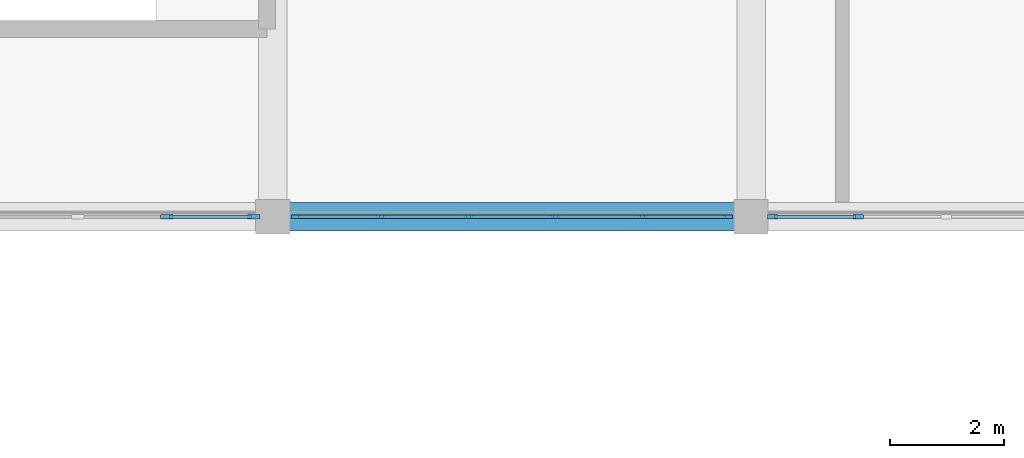
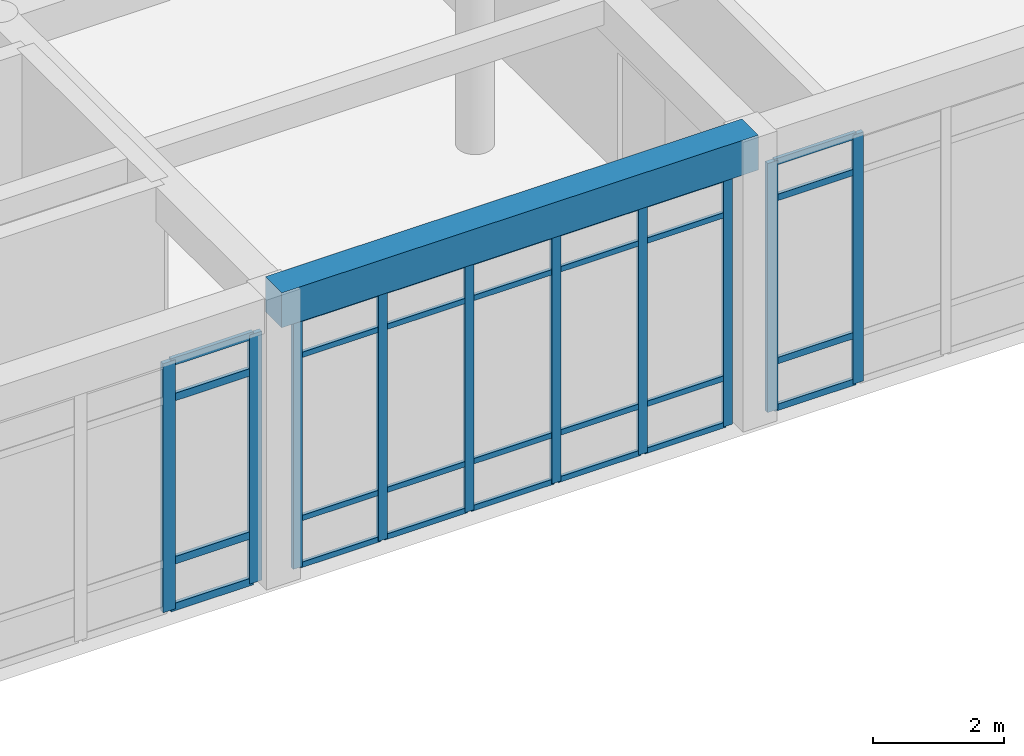
# One storey, part 12 of 89: 38 members, 1 beam, 3 elements without a shape of their own.
"""IFC4 building model written with IfcOpenShell, lengths in metres."""

from ifc_helpers import new_model, si_unit, direction, frame, origin, origin_2d, place, context, subcontext, project, spatial, rectangle, extrude, material, material_profile, profile_set, type_object, element, aggregate, save


model = new_model("IFC4")

# Units and contexts
model_context = context("Model", 3, precision=1e-05, world=origin(), true_north=direction((0.0, 1.0)))
body_context = subcontext(model_context, "Body", "Model", "MODEL_VIEW")
ifc_project = project(units=[si_unit("LENGTHUNIT", "METRE"), si_unit("AREAUNIT", "SQUARE_METRE"), si_unit("VOLUMEUNIT", "CUBIC_METRE"), si_unit("PLANEANGLEUNIT", "RADIAN"), si_unit("MASSUNIT", "GRAM", prefix="KILO")], contexts=[model_context])

# Site, building, storey
site_placement = place(None, origin())
site = spatial("IfcSite", under=ifc_project, at=site_placement, CompositionType="ELEMENT")
building_placement = place(site_placement, origin())
building = spatial("IfcBuilding", under=site, at=building_placement, Name="Varncliffe General Hospital", CompositionType="ELEMENT")
storey_placement = place(building_placement, frame((0.0, 0.0, 10.800048828125)))
storey = spatial("IfcBuildingStorey", under=building, at=storey_placement, Name="L02", CompositionType="ELEMENT", Elevation=10.800048828125)

# Beam
ifc_material_1 = material(Name="Concrete C35/45 (CSA A23.1 35 MPa)", Category="concrete")
ifc_material_profile_1 = material_profile(ifc_material_1, rectangle(XDim=0.5, YDim=0.64990234375, at=origin_2d()), Name="RC 500x650")
ifc_profile_set_1 = profile_set([ifc_material_profile_1], Name="Concrete C35/45 (CSA A23.1 35 MPa)")
beam_type = type_object("IfcBeamType", Name="Beam B29 (Int RC 500x650)", PredefinedType="BEAM", material=ifc_profile_set_1)
beam_placement = place(storey_placement, frame((84.0, 57.60009765625, 5.074951171875), z_axis=(1.0, 0.0, 0.0), x_axis=(0.0, 1.0, 0.0)))
element("IfcBeam", 1, at=beam_placement, inside=storey, type_object=beam_type, Name="L02 Primary Beam B29-60", PredefinedType="BEAM", context=body_context, shape_type="SweptSolid", body=[
    extrude(rectangle(XDim=0.5, YDim=0.64990234375, at=origin_2d()), origin(), (0.0, 0.0, 1.0), 8.39990234375),
])

# Curtain wall, members
ifc_material_2 = material(Name="Triple low-E argon insulated vision glazing", Category="glass")
curtain_wall_type_1 = type_object("IfcCurtainWallType", Name="Unitised Glazed Curtain Wall CW70 (7724x4640)", PredefinedType="USERDEFINED", material=ifc_material_2)
curtain_wall_1_placement = place(storey_placement, origin())
curtain_wall_1 = element("IfcCurtainWall", 2, at=curtain_wall_1_placement, inside=storey, type_object=curtain_wall_type_1, Name="L02 Glazed Curtain Wall CW70-136", ObjectType="GLAZED CURTAIN WALL", PredefinedType="USERDEFINED")
ifc_material_3 = material(Name="Dark bronze thermally broken aluminium framing", Category="aluminium")
ifc_material_profile_2 = material_profile(ifc_material_3, rectangle(XDim=0.074951171875, YDim=0.179931640625, at=origin_2d()), Name="ALU 75x180")
ifc_profile_set_2 = profile_set([ifc_material_profile_2], Name="Dark bronze thermally broken aluminium framing")
member_type_1 = type_object("IfcMemberType", Name="Curtain Wall Mullion CM44 (ALU 75x180)", PredefinedType="MULLION", material=ifc_profile_set_2)
member_1_placement = place(storey_placement, frame((94.28271484375, 57.60009765625, 0.0), z_axis=(0.0, 0.0, 1.0), x_axis=(0.0, -1.0, 0.0)))
member_1 = element("IfcMember", 3, at=member_1_placement, type_object=member_type_1, Name="CW70 mullion 5", PredefinedType="MULLION", context=body_context, shape_type="SweptSolid", body=[
    extrude(rectangle(XDim=0.074951171875, YDim=0.179931640625, at=origin_2d()), origin(), (0.0, 0.0, 1.0), 4.639892578125),
])
member_2_placement = place(storey_placement, frame((92.775390625, 57.60009765625, 0.0), z_axis=(0.0, 0.0, 1.0), x_axis=(0.0, -1.0, 0.0)))
member_2 = element("IfcMember", 4, at=member_2_placement, type_object=member_type_1, Name="CW70 mullion 6", PredefinedType="MULLION", context=body_context, shape_type="SweptSolid", body=[
    extrude(rectangle(XDim=0.074951171875, YDim=0.179931640625, at=origin_2d()), origin(), (0.0, 0.0, 1.0), 4.639892578125),
])

curtain_wall_type_2 = type_object("IfcCurtainWallType", Name="Unitised Glazed Curtain Wall CW27 (7644x4640)", PredefinedType="USERDEFINED", material=ifc_material_2)
curtain_wall_2_placement = place(storey_placement, origin())
curtain_wall_2 = element("IfcCurtainWall", 5, at=curtain_wall_2_placement, inside=storey, type_object=curtain_wall_type_2, Name="L02 Glazed Curtain Wall CW27-137", ObjectType="GLAZED CURTAIN WALL", PredefinedType="USERDEFINED")
ifc_material_profile_3 = material_profile(ifc_material_3, rectangle(XDim=0.06494140625, YDim=0.159912109375, at=origin_2d()), Name="ALU 65x160")
ifc_profile_set_3 = profile_set([ifc_material_profile_3], Name="Dark bronze thermally broken aluminium framing")
member_type_2 = type_object("IfcMemberType", Name="Curtain Wall Mullion CM65 (ALU 65x160)", PredefinedType="MULLION", material=ifc_profile_set_3)
member_3_placement = place(storey_placement, frame((91.989501953125, 57.60009765625, 0.0), z_axis=(0.0, 0.0, 1.0), x_axis=(0.0, -1.0, 0.0)))
member_3 = element("IfcMember", 6, at=member_3_placement, type_object=member_type_2, Name="CW27 mullion 1", PredefinedType="MULLION", context=body_context, shape_type="SweptSolid", body=[
    extrude(rectangle(XDim=0.06494140625, YDim=0.159912109375, at=origin_2d()), origin(), (0.0, 0.0, 1.0), 4.639892578125),
])
member_4_placement = place(storey_placement, frame((90.4931640625, 57.60009765625, 0.0), z_axis=(0.0, 0.0, 1.0), x_axis=(0.0, -1.0, 0.0)))
member_4 = element("IfcMember", 7, at=member_4_placement, type_object=member_type_2, Name="CW27 mullion 2", PredefinedType="MULLION", context=body_context, shape_type="SweptSolid", body=[
    extrude(rectangle(XDim=0.06494140625, YDim=0.159912109375, at=origin_2d()), origin(), (0.0, 0.0, 1.0), 4.639892578125),
])
member_5_placement = place(storey_placement, frame((88.96435546875, 57.60009765625, 0.0), z_axis=(0.0, 0.0, 1.0), x_axis=(0.0, -1.0, 0.0)))
member_5 = element("IfcMember", 8, at=member_5_placement, type_object=member_type_2, Name="CW27 mullion 3", PredefinedType="MULLION", context=body_context, shape_type="SweptSolid", body=[
    extrude(rectangle(XDim=0.06494140625, YDim=0.159912109375, at=origin_2d()), origin(), (0.0, 0.0, 1.0), 4.639892578125),
])
member_6_placement = place(storey_placement, frame((87.435546875, 57.60009765625, 0.0), z_axis=(0.0, 0.0, 1.0), x_axis=(0.0, -1.0, 0.0)))
member_6 = element("IfcMember", 9, at=member_6_placement, type_object=member_type_2, Name="CW27 mullion 4", PredefinedType="MULLION", context=body_context, shape_type="SweptSolid", body=[
    extrude(rectangle(XDim=0.06494140625, YDim=0.159912109375, at=origin_2d()), origin(), (0.0, 0.0, 1.0), 4.639892578125),
])
member_7_placement = place(storey_placement, frame((85.90673828125, 57.60009765625, 0.0), z_axis=(0.0, 0.0, 1.0), x_axis=(0.0, -1.0, 0.0)))
member_7 = element("IfcMember", 10, at=member_7_placement, type_object=member_type_2, Name="CW27 mullion 5", PredefinedType="MULLION", context=body_context, shape_type="SweptSolid", body=[
    extrude(rectangle(XDim=0.06494140625, YDim=0.159912109375, at=origin_2d()), origin(), (0.0, 0.0, 1.0), 4.639892578125),
])
member_8_placement = place(storey_placement, frame((84.410400390625, 57.60009765625, 0.0), z_axis=(0.0, 0.0, 1.0), x_axis=(0.0, -1.0, 0.0)))
member_8 = element("IfcMember", 11, at=member_8_placement, type_object=member_type_2, Name="CW27 mullion 6", PredefinedType="MULLION", context=body_context, shape_type="SweptSolid", body=[
    extrude(rectangle(XDim=0.06494140625, YDim=0.159912109375, at=origin_2d()), origin(), (0.0, 0.0, 1.0), 4.639892578125),
])

curtain_wall_type_3 = type_object("IfcCurtainWallType", Name="Unitised Glazed Curtain Wall CW85 (7804x4640)", PredefinedType="USERDEFINED", material=ifc_material_2)
curtain_wall_3_placement = place(storey_placement, origin())
curtain_wall_3 = element("IfcCurtainWall", 12, at=curtain_wall_3_placement, inside=storey, type_object=curtain_wall_type_3, Name="L02 Glazed Curtain Wall CW85-138", ObjectType="GLAZED CURTAIN WALL", PredefinedType="USERDEFINED")
ifc_material_profile_4 = material_profile(ifc_material_3, rectangle(XDim=0.074951171875, YDim=0.219970703125, at=origin_2d()), Name="ALU 75x220")
ifc_profile_set_4 = profile_set([ifc_material_profile_4], Name="Dark bronze thermally broken aluminium framing")
member_type_3 = type_object("IfcMemberType", Name="Curtain Wall Mullion CM74 (ALU 75x220)", PredefinedType="MULLION", material=ifc_profile_set_4)
member_9_placement = place(storey_placement, frame((83.66455078125, 57.60009765625, 0.0), z_axis=(0.0, 0.0, 1.0), x_axis=(0.0, -1.0, 0.0)))
member_9 = element("IfcMember", 13, at=member_9_placement, type_object=member_type_3, Name="CW85 mullion 1", PredefinedType="MULLION", context=body_context, shape_type="SweptSolid", body=[
    extrude(rectangle(XDim=0.074951171875, YDim=0.219970703125, at=origin_2d()), origin(), (0.0, 0.0, 1.0), 4.639892578125),
])
member_10_placement = place(storey_placement, frame((82.14111328125, 57.60009765625, 0.0), z_axis=(0.0, 0.0, 1.0), x_axis=(0.0, -1.0, 0.0)))
member_10 = element("IfcMember", 14, at=member_10_placement, type_object=member_type_3, Name="CW85 mullion 2", PredefinedType="MULLION", context=body_context, shape_type="SweptSolid", body=[
    extrude(rectangle(XDim=0.074951171875, YDim=0.219970703125, at=origin_2d()), origin(), (0.0, 0.0, 1.0), 4.639892578125),
])

# Member
ifc_material_profile_5 = material_profile(ifc_material_3, rectangle(XDim=0.06005859375, YDim=0.1201171875, at=origin_2d()), Name="ALU 60x120")
ifc_profile_set_5 = profile_set([ifc_material_profile_5], Name="Dark bronze thermally broken aluminium framing")
member_type_4 = type_object("IfcMemberType", Name="Curtain Wall Transom CT14 (ALU 60x120)", PredefinedType="USERDEFINED", material=ifc_profile_set_5)
member_11_placement = place(storey_placement, frame((94.245361328125, 57.60009765625, 0.030029296875), z_axis=(-1.0, 0.0, 0.0), x_axis=(0.0, -1.0, 0.0)))
member_11 = element("IfcMember", 15, at=member_11_placement, type_object=member_type_4, Name="CW70 transom 5.1", ObjectType="TRANSOM", PredefinedType="USERDEFINED", context=body_context, shape_type="SweptSolid", body=[
    extrude(rectangle(XDim=0.06005859375, YDim=0.1201171875, at=origin_2d()), origin(), (0.0, 0.0, 1.0), 1.432373046875),
])

member_12_placement = place(storey_placement, frame((94.245361328125, 57.60009765625, 0.89990234375), z_axis=(-1.0, 0.0, 0.0), x_axis=(0.0, -1.0, 0.0)))
member_12 = element("IfcMember", 16, at=member_12_placement, type_object=member_type_4, Name="CW70 transom 5.2", ObjectType="TRANSOM", PredefinedType="USERDEFINED", context=body_context, shape_type="SweptSolid", body=[
    extrude(rectangle(XDim=0.06005859375, YDim=0.1201171875, at=origin_2d()), origin(), (0.0, 0.0, 1.0), 1.432373046875),
])

member_13_placement = place(storey_placement, frame((94.245361328125, 57.60009765625, 3.93994140625), z_axis=(-1.0, 0.0, 0.0), x_axis=(0.0, -1.0, 0.0)))
member_13 = element("IfcMember", 17, at=member_13_placement, type_object=member_type_4, Name="CW70 transom 5.3", ObjectType="TRANSOM", PredefinedType="USERDEFINED", context=body_context, shape_type="SweptSolid", body=[
    extrude(rectangle(XDim=0.06005859375, YDim=0.1201171875, at=origin_2d()), origin(), (0.0, 0.0, 1.0), 1.432373046875),
])

member_14_placement = place(storey_placement, frame((94.245361328125, 57.60009765625, 4.60986328125), z_axis=(-1.0, 0.0, 0.0), x_axis=(0.0, -1.0, 0.0)))
member_14 = element("IfcMember", 18, at=member_14_placement, type_object=member_type_4, Name="CW70 transom 5.4", ObjectType="TRANSOM", PredefinedType="USERDEFINED", context=body_context, shape_type="SweptSolid", body=[
    extrude(rectangle(XDim=0.06005859375, YDim=0.1201171875, at=origin_2d()), origin(), (0.0, 0.0, 1.0), 1.432373046875),
])

aggregate(curtain_wall_1, [member_1, member_2, member_11, member_12, member_13, member_14])

ifc_material_profile_6 = material_profile(ifc_material_3, rectangle(XDim=0.06005859375, YDim=0.10009765625, at=origin_2d()), Name="ALU 60x100")
ifc_profile_set_6 = profile_set([ifc_material_profile_6], Name="Dark bronze thermally broken aluminium framing")
member_type_5 = type_object("IfcMemberType", Name="Curtain Wall Transom CT18 (ALU 60x100)", PredefinedType="USERDEFINED", material=ifc_profile_set_6)
member_15_placement = place(storey_placement, frame((91.95703125, 57.60009765625, 0.030029296875), z_axis=(-1.0, 0.0, 0.0), x_axis=(0.0, -1.0, 0.0)))
member_15 = element("IfcMember", 19, at=member_15_placement, type_object=member_type_5, Name="CW27 transom 1.1", ObjectType="TRANSOM", PredefinedType="USERDEFINED", context=body_context, shape_type="SweptSolid", body=[
    extrude(rectangle(XDim=0.06005859375, YDim=0.10009765625, at=origin_2d()), origin(), (0.0, 0.0, 1.0), 1.431396484375),
])

member_16_placement = place(storey_placement, frame((91.95703125, 57.60009765625, 0.89990234375), z_axis=(-1.0, 0.0, 0.0), x_axis=(0.0, -1.0, 0.0)))
member_16 = element("IfcMember", 20, at=member_16_placement, type_object=member_type_5, Name="CW27 transom 1.2", ObjectType="TRANSOM", PredefinedType="USERDEFINED", context=body_context, shape_type="SweptSolid", body=[
    extrude(rectangle(XDim=0.06005859375, YDim=0.10009765625, at=origin_2d()), origin(), (0.0, 0.0, 1.0), 1.431396484375),
])

member_17_placement = place(storey_placement, frame((91.95703125, 57.60009765625, 3.93994140625), z_axis=(-1.0, 0.0, 0.0), x_axis=(0.0, -1.0, 0.0)))
member_17 = element("IfcMember", 21, at=member_17_placement, type_object=member_type_5, Name="CW27 transom 1.3", ObjectType="TRANSOM", PredefinedType="USERDEFINED", context=body_context, shape_type="SweptSolid", body=[
    extrude(rectangle(XDim=0.06005859375, YDim=0.10009765625, at=origin_2d()), origin(), (0.0, 0.0, 1.0), 1.431396484375),
])

member_18_placement = place(storey_placement, frame((91.95703125, 57.60009765625, 4.60986328125), z_axis=(-1.0, 0.0, 0.0), x_axis=(0.0, -1.0, 0.0)))
member_18 = element("IfcMember", 22, at=member_18_placement, type_object=member_type_5, Name="CW27 transom 1.4", ObjectType="TRANSOM", PredefinedType="USERDEFINED", context=body_context, shape_type="SweptSolid", body=[
    extrude(rectangle(XDim=0.06005859375, YDim=0.10009765625, at=origin_2d()), origin(), (0.0, 0.0, 1.0), 1.431396484375),
])

member_19_placement = place(storey_placement, frame((90.460693359375, 57.60009765625, 0.030029296875), z_axis=(-1.0, 0.0, 0.0), x_axis=(0.0, -1.0, 0.0)))
member_19 = element("IfcMember", 23, at=member_19_placement, type_object=member_type_5, Name="CW27 transom 2.1", ObjectType="TRANSOM", PredefinedType="USERDEFINED", context=body_context, shape_type="SweptSolid", body=[
    extrude(rectangle(XDim=0.06005859375, YDim=0.10009765625, at=origin_2d()), origin(), (0.0, 0.0, 1.0), 1.4638671875),
])

member_20_placement = place(storey_placement, frame((90.460693359375, 57.60009765625, 0.89990234375), z_axis=(-1.0, 0.0, 0.0), x_axis=(0.0, -1.0, 0.0)))
member_20 = element("IfcMember", 24, at=member_20_placement, type_object=member_type_5, Name="CW27 transom 2.2", ObjectType="TRANSOM", PredefinedType="USERDEFINED", context=body_context, shape_type="SweptSolid", body=[
    extrude(rectangle(XDim=0.06005859375, YDim=0.10009765625, at=origin_2d()), origin(), (0.0, 0.0, 1.0), 1.4638671875),
])

member_21_placement = place(storey_placement, frame((90.460693359375, 57.60009765625, 3.93994140625), z_axis=(-1.0, 0.0, 0.0), x_axis=(0.0, -1.0, 0.0)))
member_21 = element("IfcMember", 25, at=member_21_placement, type_object=member_type_5, Name="CW27 transom 2.3", ObjectType="TRANSOM", PredefinedType="USERDEFINED", context=body_context, shape_type="SweptSolid", body=[
    extrude(rectangle(XDim=0.06005859375, YDim=0.10009765625, at=origin_2d()), origin(), (0.0, 0.0, 1.0), 1.4638671875),
])

member_22_placement = place(storey_placement, frame((90.460693359375, 57.60009765625, 4.60986328125), z_axis=(-1.0, 0.0, 0.0), x_axis=(0.0, -1.0, 0.0)))
member_22 = element("IfcMember", 26, at=member_22_placement, type_object=member_type_5, Name="CW27 transom 2.4", ObjectType="TRANSOM", PredefinedType="USERDEFINED", context=body_context, shape_type="SweptSolid", body=[
    extrude(rectangle(XDim=0.06005859375, YDim=0.10009765625, at=origin_2d()), origin(), (0.0, 0.0, 1.0), 1.4638671875),
])

member_23_placement = place(storey_placement, frame((88.931884765625, 57.60009765625, 0.030029296875), z_axis=(-1.0, 0.0, 0.0), x_axis=(0.0, -1.0, 0.0)))
member_23 = element("IfcMember", 27, at=member_23_placement, type_object=member_type_5, Name="CW27 transom 3.1", ObjectType="TRANSOM", PredefinedType="USERDEFINED", context=body_context, shape_type="SweptSolid", body=[
    extrude(rectangle(XDim=0.06005859375, YDim=0.10009765625, at=origin_2d()), origin(), (0.0, 0.0, 1.0), 1.4638671875),
])

member_24_placement = place(storey_placement, frame((88.931884765625, 57.60009765625, 0.89990234375), z_axis=(-1.0, 0.0, 0.0), x_axis=(0.0, -1.0, 0.0)))
member_24 = element("IfcMember", 28, at=member_24_placement, type_object=member_type_5, Name="CW27 transom 3.2", ObjectType="TRANSOM", PredefinedType="USERDEFINED", context=body_context, shape_type="SweptSolid", body=[
    extrude(rectangle(XDim=0.06005859375, YDim=0.10009765625, at=origin_2d()), origin(), (0.0, 0.0, 1.0), 1.4638671875),
])

member_25_placement = place(storey_placement, frame((88.931884765625, 57.60009765625, 3.93994140625), z_axis=(-1.0, 0.0, 0.0), x_axis=(0.0, -1.0, 0.0)))
member_25 = element("IfcMember", 29, at=member_25_placement, type_object=member_type_5, Name="CW27 transom 3.3", ObjectType="TRANSOM", PredefinedType="USERDEFINED", context=body_context, shape_type="SweptSolid", body=[
    extrude(rectangle(XDim=0.06005859375, YDim=0.10009765625, at=origin_2d()), origin(), (0.0, 0.0, 1.0), 1.4638671875),
])

member_26_placement = place(storey_placement, frame((88.931884765625, 57.60009765625, 4.60986328125), z_axis=(-1.0, 0.0, 0.0), x_axis=(0.0, -1.0, 0.0)))
member_26 = element("IfcMember", 30, at=member_26_placement, type_object=member_type_5, Name="CW27 transom 3.4", ObjectType="TRANSOM", PredefinedType="USERDEFINED", context=body_context, shape_type="SweptSolid", body=[
    extrude(rectangle(XDim=0.06005859375, YDim=0.10009765625, at=origin_2d()), origin(), (0.0, 0.0, 1.0), 1.4638671875),
])

member_27_placement = place(storey_placement, frame((87.403076171875, 57.60009765625, 0.030029296875), z_axis=(-1.0, 0.0, 0.0), x_axis=(0.0, -1.0, 0.0)))
member_27 = element("IfcMember", 31, at=member_27_placement, type_object=member_type_5, Name="CW27 transom 4.1", ObjectType="TRANSOM", PredefinedType="USERDEFINED", context=body_context, shape_type="SweptSolid", body=[
    extrude(rectangle(XDim=0.06005859375, YDim=0.10009765625, at=origin_2d()), origin(), (0.0, 0.0, 1.0), 1.4638671875),
])

member_28_placement = place(storey_placement, frame((87.403076171875, 57.60009765625, 0.89990234375), z_axis=(-1.0, 0.0, 0.0), x_axis=(0.0, -1.0, 0.0)))
member_28 = element("IfcMember", 32, at=member_28_placement, type_object=member_type_5, Name="CW27 transom 4.2", ObjectType="TRANSOM", PredefinedType="USERDEFINED", context=body_context, shape_type="SweptSolid", body=[
    extrude(rectangle(XDim=0.06005859375, YDim=0.10009765625, at=origin_2d()), origin(), (0.0, 0.0, 1.0), 1.4638671875),
])

member_29_placement = place(storey_placement, frame((87.403076171875, 57.60009765625, 3.93994140625), z_axis=(-1.0, 0.0, 0.0), x_axis=(0.0, -1.0, 0.0)))
member_29 = element("IfcMember", 33, at=member_29_placement, type_object=member_type_5, Name="CW27 transom 4.3", ObjectType="TRANSOM", PredefinedType="USERDEFINED", context=body_context, shape_type="SweptSolid", body=[
    extrude(rectangle(XDim=0.06005859375, YDim=0.10009765625, at=origin_2d()), origin(), (0.0, 0.0, 1.0), 1.4638671875),
])

member_30_placement = place(storey_placement, frame((87.403076171875, 57.60009765625, 4.60986328125), z_axis=(-1.0, 0.0, 0.0), x_axis=(0.0, -1.0, 0.0)))
member_30 = element("IfcMember", 34, at=member_30_placement, type_object=member_type_5, Name="CW27 transom 4.4", ObjectType="TRANSOM", PredefinedType="USERDEFINED", context=body_context, shape_type="SweptSolid", body=[
    extrude(rectangle(XDim=0.06005859375, YDim=0.10009765625, at=origin_2d()), origin(), (0.0, 0.0, 1.0), 1.4638671875),
])

member_31_placement = place(storey_placement, frame((85.874267578125, 57.60009765625, 0.030029296875), z_axis=(-1.0, 0.0, 0.0), x_axis=(0.0, -1.0, 0.0)))
member_31 = element("IfcMember", 35, at=member_31_placement, type_object=member_type_5, Name="CW27 transom 5.1", ObjectType="TRANSOM", PredefinedType="USERDEFINED", context=body_context, shape_type="SweptSolid", body=[
    extrude(rectangle(XDim=0.06005859375, YDim=0.10009765625, at=origin_2d()), origin(), (0.0, 0.0, 1.0), 1.43115234375),
])

member_32_placement = place(storey_placement, frame((85.874267578125, 57.60009765625, 0.89990234375), z_axis=(-1.0, 0.0, 0.0), x_axis=(0.0, -1.0, 0.0)))
member_32 = element("IfcMember", 36, at=member_32_placement, type_object=member_type_5, Name="CW27 transom 5.2", ObjectType="TRANSOM", PredefinedType="USERDEFINED", context=body_context, shape_type="SweptSolid", body=[
    extrude(rectangle(XDim=0.06005859375, YDim=0.10009765625, at=origin_2d()), origin(), (0.0, 0.0, 1.0), 1.43115234375),
])

member_33_placement = place(storey_placement, frame((85.874267578125, 57.60009765625, 3.93994140625), z_axis=(-1.0, 0.0, 0.0), x_axis=(0.0, -1.0, 0.0)))
member_33 = element("IfcMember", 37, at=member_33_placement, type_object=member_type_5, Name="CW27 transom 5.3", ObjectType="TRANSOM", PredefinedType="USERDEFINED", context=body_context, shape_type="SweptSolid", body=[
    extrude(rectangle(XDim=0.06005859375, YDim=0.10009765625, at=origin_2d()), origin(), (0.0, 0.0, 1.0), 1.43115234375),
])

member_34_placement = place(storey_placement, frame((85.874267578125, 57.60009765625, 4.60986328125), z_axis=(-1.0, 0.0, 0.0), x_axis=(0.0, -1.0, 0.0)))
member_34 = element("IfcMember", 38, at=member_34_placement, type_object=member_type_5, Name="CW27 transom 5.4", ObjectType="TRANSOM", PredefinedType="USERDEFINED", context=body_context, shape_type="SweptSolid", body=[
    extrude(rectangle(XDim=0.06005859375, YDim=0.10009765625, at=origin_2d()), origin(), (0.0, 0.0, 1.0), 1.43115234375),
])

aggregate(curtain_wall_2, [member_3, member_4, member_5, member_6, member_7, member_8, member_15, member_16, member_17, member_18, member_19, member_20, member_21, member_22, member_23, member_24, member_25, member_26, member_27, member_28, member_29, member_30, member_31, member_32, member_33, member_34])

ifc_material_profile_7 = material_profile(ifc_material_3, rectangle(XDim=0.06494140625, YDim=0.139892578125, at=origin_2d()), Name="ALU 65x140")
ifc_profile_set_7 = profile_set([ifc_material_profile_7], Name="Dark bronze thermally broken aluminium framing")
member_type_6 = type_object("IfcMemberType", Name="Curtain Wall Transom CT69 (ALU 65x140)", PredefinedType="USERDEFINED", material=ifc_profile_set_7)
member_35_placement = place(storey_placement, frame((83.626953125, 57.60009765625, 0.032470703125), z_axis=(-1.0, 0.0, 0.0), x_axis=(0.0, -1.0, 0.0)))
member_35 = element("IfcMember", 39, at=member_35_placement, type_object=member_type_6, Name="CW85 transom 1.1", ObjectType="TRANSOM", PredefinedType="USERDEFINED", context=body_context, shape_type="SweptSolid", body=[
    extrude(rectangle(XDim=0.06494140625, YDim=0.139892578125, at=origin_2d()), origin(), (0.0, 0.0, 1.0), 1.4482421875),
])

member_36_placement = place(storey_placement, frame((83.626953125, 57.60009765625, 0.89990234375), z_axis=(-1.0, 0.0, 0.0), x_axis=(0.0, -1.0, 0.0)))
member_36 = element("IfcMember", 40, at=member_36_placement, type_object=member_type_6, Name="CW85 transom 1.2", ObjectType="TRANSOM", PredefinedType="USERDEFINED", context=body_context, shape_type="SweptSolid", body=[
    extrude(rectangle(XDim=0.06494140625, YDim=0.139892578125, at=origin_2d()), origin(), (0.0, 0.0, 1.0), 1.4482421875),
])

member_37_placement = place(storey_placement, frame((83.626953125, 57.60009765625, 3.93994140625), z_axis=(-1.0, 0.0, 0.0), x_axis=(0.0, -1.0, 0.0)))
member_37 = element("IfcMember", 41, at=member_37_placement, type_object=member_type_6, Name="CW85 transom 1.3", ObjectType="TRANSOM", PredefinedType="USERDEFINED", context=body_context, shape_type="SweptSolid", body=[
    extrude(rectangle(XDim=0.06494140625, YDim=0.139892578125, at=origin_2d()), origin(), (0.0, 0.0, 1.0), 1.4482421875),
])

member_38_placement = place(storey_placement, frame((83.626953125, 57.60009765625, 4.607421875), z_axis=(-1.0, 0.0, 0.0), x_axis=(0.0, -1.0, 0.0)))
member_38 = element("IfcMember", 42, at=member_38_placement, type_object=member_type_6, Name="CW85 transom 1.4", ObjectType="TRANSOM", PredefinedType="USERDEFINED", context=body_context, shape_type="SweptSolid", body=[
    extrude(rectangle(XDim=0.06494140625, YDim=0.139892578125, at=origin_2d()), origin(), (0.0, 0.0, 1.0), 1.4482421875),
])

aggregate(curtain_wall_3, [member_9, member_10, member_35, member_36, member_37, member_38])

save(model, "model.ifc")
